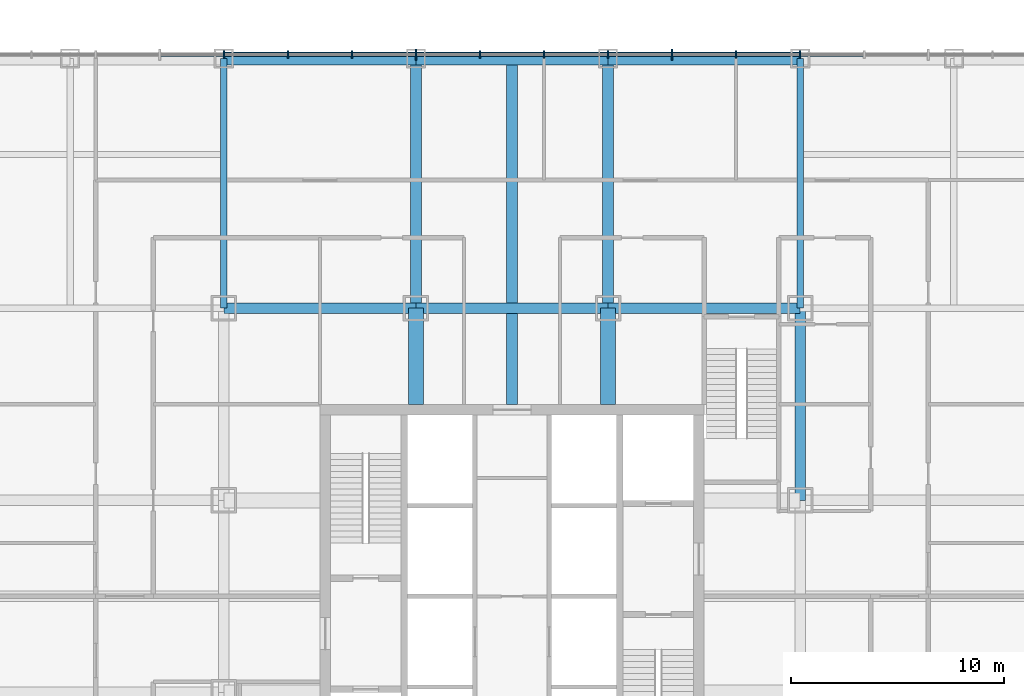
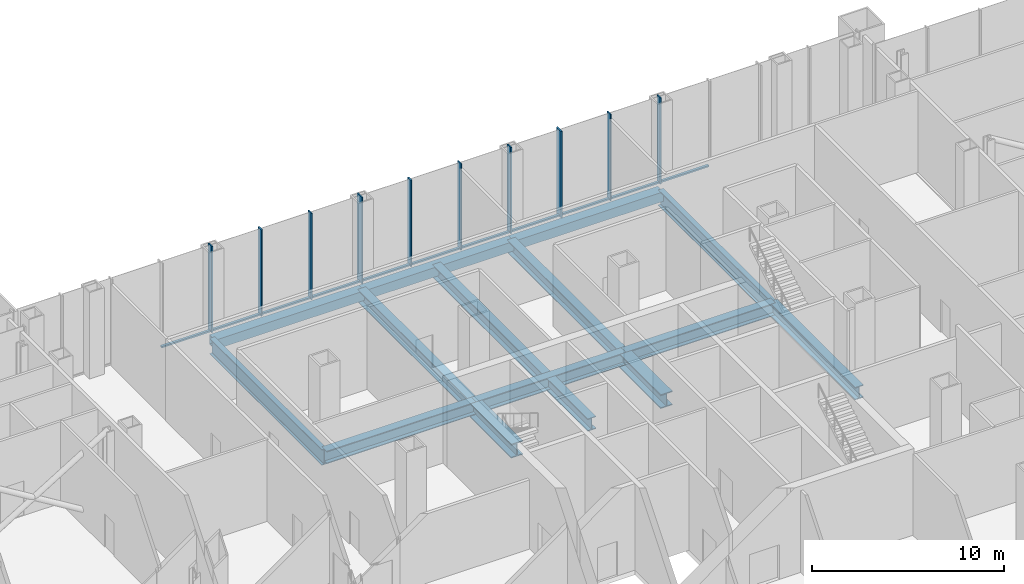
# One storey, part 6 of 25: 21 members, 14 beams, 1 element without a shape of its own.
"""IFC4 building model written with IfcOpenShell, lengths in metres."""

from ifc_helpers import new_model, si_unit, direction, frame, origin, origin_2d, place, context, subcontext, project, spatial, rectangle, hollow_rectangle, i_section, extrude, material, layer, layer_set, material_profile, profile_set, type_object, element, aggregate, save


model = new_model("IFC4")

# Units and contexts
model_context = context("Model", 3, precision=1e-05, world=origin(), true_north=direction((0.0, 1.0)))
body_context = subcontext(model_context, "Body", "Model", "MODEL_VIEW")
ifc_project = project(units=[si_unit("LENGTHUNIT", "METRE"), si_unit("AREAUNIT", "SQUARE_METRE"), si_unit("VOLUMEUNIT", "CUBIC_METRE"), si_unit("PLANEANGLEUNIT", "RADIAN"), si_unit("MASSUNIT", "GRAM", prefix="KILO")], contexts=[model_context])

# Site, building, storey
site_placement = place(None, origin())
site = spatial("IfcSite", under=ifc_project, at=site_placement, CompositionType="ELEMENT")
building_placement = place(site_placement, origin())
building = spatial("IfcBuilding", under=site, at=building_placement, Name="Malebo Sky Hospital", CompositionType="ELEMENT")
storey_placement = place(building_placement, frame((0.0, 0.0, 11.0)))
storey = spatial("IfcBuildingStorey", under=building, at=storey_placement, Name="L02", CompositionType="ELEMENT", Elevation=11.0)

# Curtain wall, members
ifc_material_1 = material(Name="Anodised aluminium, natural silver", Category="aluminium")
ifc_layer = layer(ifc_material_1, 0.25)
ifc_layer_set = layer_set([ifc_layer], Name="PODIUM ENTRANCE BAY CURTAIN WALL")
curtain_wall_type = type_object("IfcCurtainWallType", Name="PODIUM ENTRANCE BAY CURTAIN WALL", PredefinedType="NOTDEFINED", material=ifc_layer_set)
curtain_wall_placement = place(storey_placement, origin())
curtain_wall = element("IfcCurtainWall", 1, at=curtain_wall_placement, inside=storey, type_object=curtain_wall_type, Name="BAY curtain wall BN", PredefinedType="NOTDEFINED")
ifc_material_profile_1 = material_profile(ifc_material_1, rectangle(XDim=0.14990234375, YDim=0.10009765625, at=origin_2d()), Name="ALUMINIUM TRANSOM 150x100")
ifc_profile_set_1 = profile_set([ifc_material_profile_1], Name="Anodised aluminium, natural silver")
member_type_1 = type_object("IfcMemberType", Name="ALUMINIUM TRANSOM 150x100", PredefinedType="USERDEFINED", material=ifc_profile_set_1)
member_1_placement = place(storey_placement, frame((76.46240234375, 87.375, 0.050048828125), z_axis=(-1.0, 0.0, 0.0), x_axis=(0.0, -1.0, 0.0)))
member_1 = element("IfcMember", 2, at=member_1_placement, type_object=member_type_1, Name="Transom 4", ObjectType="TRANSOM", PredefinedType="USERDEFINED", context=body_context, shape_type="SweptSolid", body=[
    extrude(rectangle(XDim=0.14990234375, YDim=0.10009765625, at=origin_2d()), origin(), (0.0, 0.0, 1.0), 2.9248046875),
])
member_2_placement = place(storey_placement, frame((73.46240234375, 87.375, 0.050048828125), z_axis=(-1.0, 0.0, 0.0), x_axis=(0.0, -1.0, 0.0)))
member_2 = element("IfcMember", 3, at=member_2_placement, type_object=member_type_1, Name="Transom 5", ObjectType="TRANSOM", PredefinedType="USERDEFINED", context=body_context, shape_type="SweptSolid", body=[
    extrude(rectangle(XDim=0.14990234375, YDim=0.10009765625, at=origin_2d()), origin(), (0.0, 0.0, 1.0), 2.9248046875),
])
member_3_placement = place(storey_placement, frame((70.46240234375, 87.375, 0.050048828125), z_axis=(-1.0, 0.0, 0.0), x_axis=(0.0, -1.0, 0.0)))
member_3 = element("IfcMember", 4, at=member_3_placement, type_object=member_type_1, Name="Transom 6", ObjectType="TRANSOM", PredefinedType="USERDEFINED", context=body_context, shape_type="SweptSolid", body=[
    extrude(rectangle(XDim=0.14990234375, YDim=0.10009765625, at=origin_2d()), origin(), (0.0, 0.0, 1.0), 2.9248046875),
])
member_4_placement = place(storey_placement, frame((67.46240234375, 87.375, 0.050048828125), z_axis=(-1.0, 0.0, 0.0), x_axis=(0.0, -1.0, 0.0)))
member_4 = element("IfcMember", 5, at=member_4_placement, type_object=member_type_1, Name="Transom 7", ObjectType="TRANSOM", PredefinedType="USERDEFINED", context=body_context, shape_type="SweptSolid", body=[
    extrude(rectangle(XDim=0.14990234375, YDim=0.10009765625, at=origin_2d()), origin(), (0.0, 0.0, 1.0), 2.9248046875),
])
member_5_placement = place(storey_placement, frame((64.46240234375, 87.375, 0.050048828125), z_axis=(-1.0, 0.0, 0.0), x_axis=(0.0, -1.0, 0.0)))
member_5 = element("IfcMember", 6, at=member_5_placement, type_object=member_type_1, Name="Transom 8", ObjectType="TRANSOM", PredefinedType="USERDEFINED", context=body_context, shape_type="SweptSolid", body=[
    extrude(rectangle(XDim=0.14990234375, YDim=0.10009765625, at=origin_2d()), origin(), (0.0, 0.0, 1.0), 2.9248046875),
])
member_6_placement = place(storey_placement, frame((61.46240234375, 87.375, 0.050048828125), z_axis=(-1.0, 0.0, 0.0), x_axis=(0.0, -1.0, 0.0)))
member_6 = element("IfcMember", 7, at=member_6_placement, type_object=member_type_1, Name="Transom 9", ObjectType="TRANSOM", PredefinedType="USERDEFINED", context=body_context, shape_type="SweptSolid", body=[
    extrude(rectangle(XDim=0.14990234375, YDim=0.10009765625, at=origin_2d()), origin(), (0.0, 0.0, 1.0), 2.9248046875),
])
member_7_placement = place(storey_placement, frame((58.46240234375, 87.375, 0.050048828125), z_axis=(-1.0, 0.0, 0.0), x_axis=(0.0, -1.0, 0.0)))
member_7 = element("IfcMember", 8, at=member_7_placement, type_object=member_type_1, Name="Transom 10", ObjectType="TRANSOM", PredefinedType="USERDEFINED", context=body_context, shape_type="SweptSolid", body=[
    extrude(rectangle(XDim=0.14990234375, YDim=0.10009765625, at=origin_2d()), origin(), (0.0, 0.0, 1.0), 2.9248046875),
])
member_8_placement = place(storey_placement, frame((55.46240234375, 87.375, 0.050048828125), z_axis=(-1.0, 0.0, 0.0), x_axis=(0.0, -1.0, 0.0)))
member_8 = element("IfcMember", 9, at=member_8_placement, type_object=member_type_1, Name="Transom 11", ObjectType="TRANSOM", PredefinedType="USERDEFINED", context=body_context, shape_type="SweptSolid", body=[
    extrude(rectangle(XDim=0.14990234375, YDim=0.10009765625, at=origin_2d()), origin(), (0.0, 0.0, 1.0), 2.9248046875),
])
member_9_placement = place(storey_placement, frame((52.46240234375, 87.375, 0.050048828125), z_axis=(-1.0, 0.0, 0.0), x_axis=(0.0, -1.0, 0.0)))
member_9 = element("IfcMember", 10, at=member_9_placement, type_object=member_type_1, Name="Transom 12", ObjectType="TRANSOM", PredefinedType="USERDEFINED", context=body_context, shape_type="SweptSolid", body=[
    extrude(rectangle(XDim=0.14990234375, YDim=0.10009765625, at=origin_2d()), origin(), (0.0, 0.0, 1.0), 2.9248046875),
])
member_10_placement = place(storey_placement, frame((49.46240234375, 87.375, 0.050048828125), z_axis=(-1.0, 0.0, 0.0), x_axis=(0.0, -1.0, 0.0)))
member_10 = element("IfcMember", 11, at=member_10_placement, type_object=member_type_1, Name="Transom 13", ObjectType="TRANSOM", PredefinedType="USERDEFINED", context=body_context, shape_type="SweptSolid", body=[
    extrude(rectangle(XDim=0.14990234375, YDim=0.10009765625, at=origin_2d()), origin(), (0.0, 0.0, 1.0), 2.9248046875),
])
member_11_placement = place(storey_placement, frame((46.46240234375, 87.375, 0.050048828125), z_axis=(-1.0, 0.0, 0.0), x_axis=(0.0, -1.0, 0.0)))
member_11 = element("IfcMember", 12, at=member_11_placement, type_object=member_type_1, Name="Transom 14", ObjectType="TRANSOM", PredefinedType="USERDEFINED", context=body_context, shape_type="SweptSolid", body=[
    extrude(rectangle(XDim=0.14990234375, YDim=0.10009765625, at=origin_2d()), origin(), (0.0, 0.0, 1.0), 2.9248046875),
])
ifc_material_profile_2 = material_profile(ifc_material_1, rectangle(XDim=0.074951171875, YDim=0.35009765625, at=origin_2d()), Name="CW4 ALUMINIUM FIN MULLION 75x350")
ifc_profile_set_2 = profile_set([ifc_material_profile_2], Name="Anodised aluminium, natural silver")
member_type_2 = type_object("IfcMemberType", Name="CW4 ALUMINIUM FIN MULLION 75x350", PredefinedType="MULLION", material=ifc_profile_set_2)
member_12_placement = place(storey_placement, frame((73.5, 87.375, 0.0), z_axis=(0.0, 0.0, 1.0), x_axis=(-1.0, 0.0, 0.0)))
member_12 = element("IfcMember", 13, at=member_12_placement, type_object=member_type_2, Name="Fin mullion 5", PredefinedType="MULLION", context=body_context, shape_type="SweptSolid", body=[
    extrude(rectangle(XDim=0.074951171875, YDim=0.35009765625, at=origin_2d()), origin(), (0.0, 0.0, 1.0), 5.5),
])
member_13_placement = place(storey_placement, frame((70.5, 87.375, 0.0), z_axis=(0.0, 0.0, 1.0), x_axis=(-1.0, 0.0, 0.0)))
member_13 = element("IfcMember", 14, at=member_13_placement, type_object=member_type_2, Name="Fin mullion 6", PredefinedType="MULLION", context=body_context, shape_type="SweptSolid", body=[
    extrude(rectangle(XDim=0.074951171875, YDim=0.35009765625, at=origin_2d()), origin(), (0.0, 0.0, 1.0), 5.5),
])
member_14_placement = place(storey_placement, frame((64.5, 87.375, 0.0), z_axis=(0.0, 0.0, 1.0), x_axis=(-1.0, 0.0, 0.0)))
member_14 = element("IfcMember", 15, at=member_14_placement, type_object=member_type_2, Name="Fin mullion 8", PredefinedType="MULLION", context=body_context, shape_type="SweptSolid", body=[
    extrude(rectangle(XDim=0.074951171875, YDim=0.35009765625, at=origin_2d()), origin(), (0.0, 0.0, 1.0), 5.5),
])
member_15_placement = place(storey_placement, frame((61.5, 87.375, 0.0), z_axis=(0.0, 0.0, 1.0), x_axis=(-1.0, 0.0, 0.0)))
member_15 = element("IfcMember", 16, at=member_15_placement, type_object=member_type_2, Name="Fin mullion 9", PredefinedType="MULLION", context=body_context, shape_type="SweptSolid", body=[
    extrude(rectangle(XDim=0.074951171875, YDim=0.35009765625, at=origin_2d()), origin(), (0.0, 0.0, 1.0), 5.5),
])
member_16_placement = place(storey_placement, frame((58.5, 87.375, 0.0), z_axis=(0.0, 0.0, 1.0), x_axis=(-1.0, 0.0, 0.0)))
member_16 = element("IfcMember", 17, at=member_16_placement, type_object=member_type_2, Name="Fin mullion 10", PredefinedType="MULLION", context=body_context, shape_type="SweptSolid", body=[
    extrude(rectangle(XDim=0.074951171875, YDim=0.35009765625, at=origin_2d()), origin(), (0.0, 0.0, 1.0), 5.5),
])
member_17_placement = place(storey_placement, frame((52.5, 87.375, 0.0), z_axis=(0.0, 0.0, 1.0), x_axis=(-1.0, 0.0, 0.0)))
member_17 = element("IfcMember", 18, at=member_17_placement, type_object=member_type_2, Name="Fin mullion 12", PredefinedType="MULLION", context=body_context, shape_type="SweptSolid", body=[
    extrude(rectangle(XDim=0.074951171875, YDim=0.35009765625, at=origin_2d()), origin(), (0.0, 0.0, 1.0), 5.5),
])
member_18_placement = place(storey_placement, frame((49.5, 87.375, 0.0), z_axis=(0.0, 0.0, 1.0), x_axis=(-1.0, 0.0, 0.0)))
member_18 = element("IfcMember", 19, at=member_18_placement, type_object=member_type_2, Name="Fin mullion 13", PredefinedType="MULLION", context=body_context, shape_type="SweptSolid", body=[
    extrude(rectangle(XDim=0.074951171875, YDim=0.35009765625, at=origin_2d()), origin(), (0.0, 0.0, 1.0), 5.5),
])
member_19_placement = place(storey_placement, frame((46.5, 87.375, 0.0), z_axis=(0.0, 0.0, 1.0), x_axis=(-1.0, 0.0, 0.0)))
member_19 = element("IfcMember", 20, at=member_19_placement, type_object=member_type_2, Name="Fin mullion 14", PredefinedType="MULLION", context=body_context, shape_type="SweptSolid", body=[
    extrude(rectangle(XDim=0.074951171875, YDim=0.35009765625, at=origin_2d()), origin(), (0.0, 0.0, 1.0), 5.5),
])
ifc_material_profile_3 = material_profile(ifc_material_1, rectangle(XDim=0.074951171875, YDim=0.5, at=origin_2d()), Name="CW4 ALUMINIUM FIN MULLION 75x500")
ifc_profile_set_3 = profile_set([ifc_material_profile_3], Name="Anodised aluminium, natural silver")
member_type_3 = type_object("IfcMemberType", Name="CW4 ALUMINIUM FIN MULLION 75x500", PredefinedType="MULLION", material=ifc_profile_set_3)
member_20_placement = place(storey_placement, frame((67.5, 87.375, 0.0), z_axis=(0.0, 0.0, 1.0), x_axis=(-1.0, 0.0, 0.0)))
member_20 = element("IfcMember", 21, at=member_20_placement, type_object=member_type_3, Name="Fin mullion 7", PredefinedType="MULLION", context=body_context, shape_type="SweptSolid", body=[
    extrude(rectangle(XDim=0.074951171875, YDim=0.5, at=origin_2d()), origin(), (0.0, 0.0, 1.0), 5.5),
])
member_21_placement = place(storey_placement, frame((55.5, 87.375, 0.0), z_axis=(0.0, 0.0, 1.0), x_axis=(-1.0, 0.0, 0.0)))
member_21 = element("IfcMember", 22, at=member_21_placement, type_object=member_type_3, Name="Fin mullion 11", PredefinedType="MULLION", context=body_context, shape_type="SweptSolid", body=[
    extrude(rectangle(XDim=0.074951171875, YDim=0.5, at=origin_2d()), origin(), (0.0, 0.0, 1.0), 5.5),
])
aggregate(curtain_wall, [member_12, member_13, member_20, member_14, member_15, member_16, member_21, member_17, member_18, member_19, member_1, member_2, member_3, member_4, member_5, member_6, member_7, member_8, member_9, member_10, member_11])

# Beams
ifc_material_2 = material(Name="Steel S460", Category="steel")
ifc_material_profile_4 = material_profile(ifc_material_2, hollow_rectangle(XDim=0.60009765625, YDim=0.60009765625, WallThickness=0.0400390625, at=origin_2d()), Name="BOX 600x600x40")
ifc_profile_set_4 = profile_set([ifc_material_profile_4], Name="Steel S460")
beam_type_1 = type_object("IfcBeamType", Name="EDGE BEAM BOX 600x600x40", PredefinedType="BEAM", material=ifc_profile_set_4)
for number, where, z_axis, x_axis, name in (
    (23, (46.5, 87.199951171875, -0.60009765625), (1.0, 0.0, 0.0), (0.0, 1.0, 0.0), "Beam 071 L02"),
    (24, (55.5, 87.199951171875, -0.60009765625), (1.0, 0.0, 0.0), (0.0, 1.0, 0.0), "Beam 072 L02"),
    (25, (64.5, 87.199951171875, -0.60009765625), (1.0, 0.0, 0.0), (0.0, 1.0, 0.0), "Beam 073 L02"),
):
    element("IfcBeam", number, at=place(storey_placement, frame(where, z_axis=z_axis, x_axis=x_axis)), inside=storey, type_object=beam_type_1, Name=name, PredefinedType="BEAM", context=body_context, shape_type="SweptSolid", body=[
        extrude(hollow_rectangle(XDim=0.60009765625, YDim=0.60009765625, WallThickness=0.0400390625, at=origin_2d()), origin(), (0.0, 0.0, 1.0), 9.0),
    ])
ifc_material_3 = material(Name="Steel S355", Category="steel")
ifc_material_profile_5 = material_profile(ifc_material_3, i_section(OverallWidth=0.5, OverallDepth=0.800048828125, WebThickness=0.030029296875, FlangeThickness=0.050048828125, at=origin_2d()), Name="PG 800x500x30x50")
ifc_profile_set_5 = profile_set([ifc_material_profile_5], Name="Steel S355")
beam_type_2 = type_object("IfcBeamType", Name="FLOOR BEAM PG 800x500x30x50", PredefinedType="BEAM", material=ifc_profile_set_5)
beam_1_placement = place(storey_placement, frame((55.5, 75.5, -0.699951171875), z_axis=(0.0, 1.0, 0.0), x_axis=(-1.0, 0.0, 0.0)))
element("IfcBeam", 26, at=beam_1_placement, inside=storey, type_object=beam_type_2, Name="Beam 017 L02", PredefinedType="BEAM", context=body_context, shape_type="SweptSolid", body=[
    extrude(i_section(OverallWidth=0.5, OverallDepth=0.800048828125, WebThickness=0.030029296875, FlangeThickness=0.050048828125, at=origin_2d()), origin(), (0.0, 0.0, 1.0), 11.699951171875),
])
beam_2_placement = place(storey_placement, frame((60.0, 71.0, -0.699951171875), z_axis=(0.0, 1.0, 0.0), x_axis=(-1.0, 0.0, 0.0)))
element("IfcBeam", 27, at=beam_2_placement, inside=storey, type_object=beam_type_2, Name="Beam 019 L02", PredefinedType="BEAM", context=body_context, shape_type="SweptSolid", body=[
    extrude(i_section(OverallWidth=0.5, OverallDepth=0.800048828125, WebThickness=0.030029296875, FlangeThickness=0.050048828125, at=origin_2d()), origin(), (0.0, 0.0, 1.0), 16.199951171875),
])
beam_3_placement = place(storey_placement, frame((64.5, 75.5, -0.699951171875), z_axis=(0.0, 1.0, 0.0), x_axis=(-1.0, 0.0, 0.0)))
element("IfcBeam", 28, at=beam_3_placement, inside=storey, type_object=beam_type_2, Name="Beam 023 L02", PredefinedType="BEAM", context=body_context, shape_type="SweptSolid", body=[
    extrude(i_section(OverallWidth=0.5, OverallDepth=0.800048828125, WebThickness=0.030029296875, FlangeThickness=0.050048828125, at=origin_2d()), origin(), (0.0, 0.0, 1.0), 11.699951171875),
])
for number, where, z_axis, x_axis, name in (
    (29, (73.5, 66.5, -0.699951171875), (0.0, 1.0, 0.0), (-1.0, 0.0, 0.0), "Beam 027 L02"),
    (30, (46.5, 75.5, -0.699951171875), (1.0, 0.0, 0.0), (0.0, 1.0, 0.0), "Beam 063 L02"),
    (31, (64.5, 75.5, -0.699951171875), (1.0, 0.0, 0.0), (0.0, 1.0, 0.0), "Beam 065 L02"),
):
    element("IfcBeam", number, at=place(storey_placement, frame(where, z_axis=z_axis, x_axis=x_axis)), inside=storey, type_object=beam_type_2, Name=name, PredefinedType="BEAM", context=body_context, shape_type="SweptSolid", body=[
        extrude(i_section(OverallWidth=0.5, OverallDepth=0.800048828125, WebThickness=0.030029296875, FlangeThickness=0.050048828125, at=origin_2d()), origin(), (0.0, 0.0, 1.0), 9.0),
    ])
ifc_material_profile_6 = material_profile(ifc_material_3, i_section(OverallWidth=0.699951171875, OverallDepth=0.89990234375, WebThickness=0.0400390625, FlangeThickness=0.070068359375, at=origin_2d()), Name="PG 900x700x40x70")
ifc_profile_set_6 = profile_set([ifc_material_profile_6], Name="Steel S355")
beam_type_3 = type_object("IfcBeamType", Name="FLOOR BEAM PG 900x700x40x70", PredefinedType="BEAM", material=ifc_profile_set_6)
for number, where, z_axis, x_axis, name in (
    (32, (55.5, 71.0, -0.75), (0.0, 1.0, 0.0), (-1.0, 0.0, 0.0), "Beam 016 L02"),
    (33, (64.5, 71.0, -0.75), (0.0, 1.0, 0.0), (-1.0, 0.0, 0.0), "Beam 022 L02"),
):
    element("IfcBeam", number, at=place(storey_placement, frame(where, z_axis=z_axis, x_axis=x_axis)), inside=storey, type_object=beam_type_3, Name=name, PredefinedType="BEAM", context=body_context, shape_type="SweptSolid", body=[
        extrude(i_section(OverallWidth=0.699951171875, OverallDepth=0.89990234375, WebThickness=0.0400390625, FlangeThickness=0.070068359375, at=origin_2d()), origin(), (0.0, 0.0, 1.0), 4.5),
    ])
ifc_material_profile_7 = material_profile(ifc_material_3, i_section(OverallWidth=0.300048828125, OverallDepth=1.0, WebThickness=0.01904296875, FlangeThickness=0.035888671875, FilletRadius=0.030029296875, at=origin_2d()), Name="HEB 1000")
ifc_profile_set_7 = profile_set([ifc_material_profile_7], Name="Steel S355")
beam_type_4 = type_object("IfcBeamType", Name="FLOOR GIRDER HEB 1000", PredefinedType="BEAM", material=ifc_profile_set_7)
for number, where, z_axis, x_axis, name in (
    (34, (46.5, 75.5, -0.800048828125), (0.0, 1.0, 0.0), (-1.0, 0.0, 0.0), "Beam 013 L02"),
    (35, (73.5, 75.5, -0.800048828125), (0.0, 1.0, 0.0), (-1.0, 0.0, 0.0), "Beam 028 L02"),
):
    element("IfcBeam", number, at=place(storey_placement, frame(where, z_axis=z_axis, x_axis=x_axis)), inside=storey, type_object=beam_type_4, Name=name, PredefinedType="BEAM", context=body_context, shape_type="SweptSolid", body=[
        extrude(i_section(OverallWidth=0.300048828125, OverallDepth=1.0, WebThickness=0.01904296875, FlangeThickness=0.035888671875, FilletRadius=0.030029296875, at=origin_2d()), origin(), (0.0, 0.0, 1.0), 11.699951171875),
    ])
ifc_material_profile_8 = material_profile(ifc_material_3, i_section(OverallWidth=0.5, OverallDepth=0.800048828125, WebThickness=0.030029296875, FlangeThickness=0.050048828125, at=origin_2d()), Name="PG 800x500x30x50")
ifc_profile_set_8 = profile_set([ifc_material_profile_8], Name="Steel S355")
beam_type_5 = type_object("IfcBeamType", Name="RING GIRDER PG 800x500x30x50", PredefinedType="BEAM", material=ifc_profile_set_8)
beam_4_placement = place(storey_placement, frame((55.5, 75.5, -0.699951171875), z_axis=(1.0, 0.0, 0.0), x_axis=(0.0, 1.0, 0.0)))
element("IfcBeam", 36, at=beam_4_placement, inside=storey, type_object=beam_type_5, Name="Beam 064 L02", PredefinedType="BEAM", context=body_context, shape_type="SweptSolid", body=[
    extrude(i_section(OverallWidth=0.5, OverallDepth=0.800048828125, WebThickness=0.030029296875, FlangeThickness=0.050048828125, at=origin_2d()), origin(), (0.0, 0.0, 1.0), 9.0),
])

save(model, "model.ifc")
